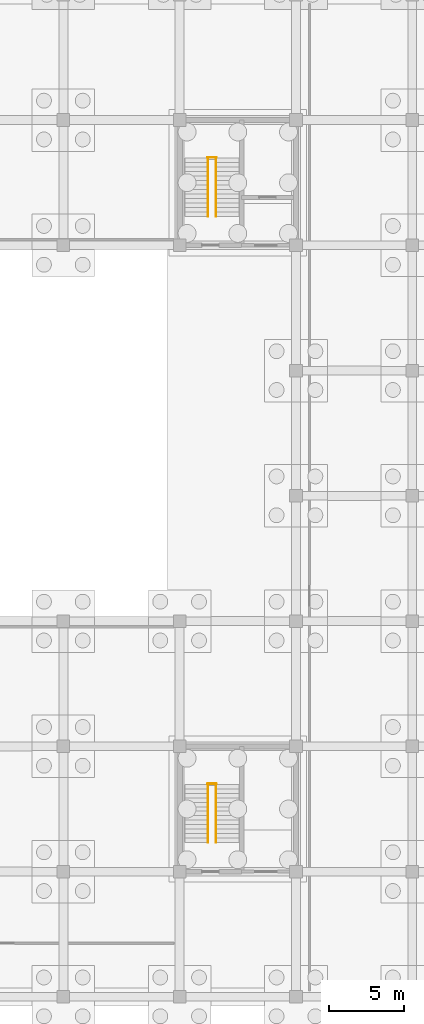
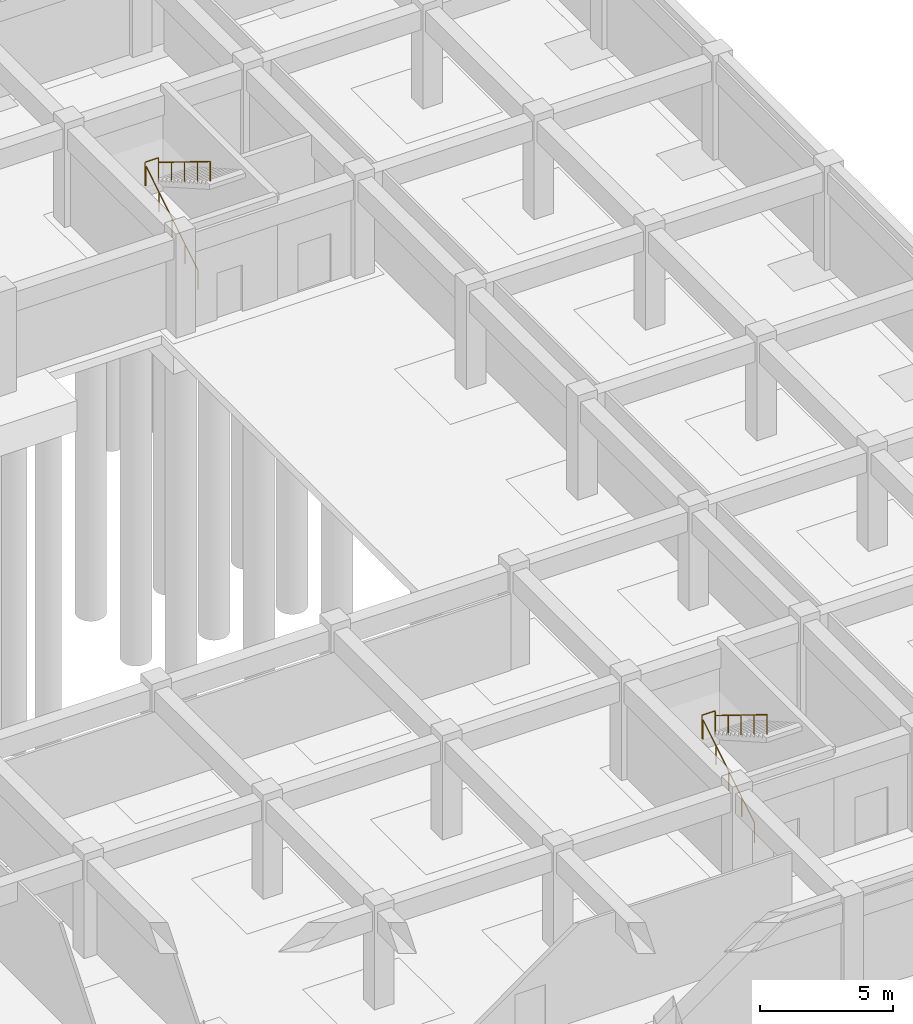
# One storey, part 31 of 31: 6 railings.
"""IFC4 building model written with IfcOpenShell, lengths in metres."""

from ifc_helpers import new_model, si_unit, direction, frame, origin, origin_2d, place, context, subcontext, project, spatial, circle, hollow_circle, extrude, material, material_profile, profile_set, type_object, element, save


model = new_model("IFC4")

# Units and contexts
model_context = context("Model", 3, precision=1e-05, world=origin(), true_north=direction((0.0, 1.0)))
body_context = subcontext(model_context, "Body", "Model", "MODEL_VIEW")
ifc_project = project(units=[si_unit("LENGTHUNIT", "METRE"), si_unit("AREAUNIT", "SQUARE_METRE"), si_unit("VOLUMEUNIT", "CUBIC_METRE"), si_unit("PLANEANGLEUNIT", "RADIAN"), si_unit("MASSUNIT", "GRAM", prefix="KILO")], contexts=[model_context])

# Site, building, storey
site_placement = place(None, origin())
site = spatial("IfcSite", under=ifc_project, at=site_placement, CompositionType="ELEMENT")
building_placement = place(site_placement, origin())
building = spatial("IfcBuilding", under=site, at=building_placement, Name="Zizhar Promenade General Hospital", CompositionType="ELEMENT")
storey_placement = place(building_placement, frame((0.0, 0.0, -4.800048828125)))
storey = spatial("IfcBuildingStorey", under=building, at=storey_placement, Name="B1", CompositionType="ELEMENT", Elevation=-4.800048828125)

# Railings
ifc_material_1 = material(Name="Anodised aluminium 6063-T6", Category="aluminium")
ifc_material_profile_1 = material_profile(ifc_material_1, hollow_circle(Radius=0.06982421875, WallThickness=0.00634765625, at=origin_2d()))
ifc_profile_set_1 = profile_set([ifc_material_profile_1], Name="Anodised aluminium 6063-T6")
railing_type_1 = type_object("IfcRailingType", Name="RL-HANDRAIL-920", PredefinedType="HANDRAIL", material=ifc_profile_set_1)
railing_1_placement = place(storey_placement, frame((173.5, 94.35009765625, 0.0)))
element("IfcRailing", 1, at=railing_1_placement, inside=storey, type_object=railing_type_1, Name="Stair ST-08 Flight 1 Handrail (B1)", PredefinedType="HANDRAIL", context=body_context, shape_type="SweptSolid", body=[
    extrude(circle(Radius=0.02392578125, at=origin_2d()), frame((0.0, 0.0, 0.89599609375), z_axis=(0.0, 0.851638180308, 0.5241301459), x_axis=(-1.0, 0.0, 0.0)), (0.0, 0.0, 1.0), 4.579345703125),
    extrude(circle(Radius=0.02099609375, at=origin_2d()), origin(), (0.0, 0.0, 1.0), 0.871826171875),
    extrude(circle(Radius=0.02099609375, at=origin_2d()), frame((0.0, 0.97509765625, 0.60009765625)), (0.0, 0.0, 1.0), 0.871826171875),
    extrude(circle(Radius=0.02099609375, at=origin_2d()), frame((0.0, 1.949951171875, 1.2001953125)), (0.0, 0.0, 1.0), 0.871826171875),
    extrude(circle(Radius=0.02099609375, at=origin_2d()), frame((0.0, 2.9248046875, 1.800048828125)), (0.0, 0.0, 1.0), 0.871826171875),
    extrude(circle(Radius=0.02099609375, at=origin_2d()), frame((0.0, 3.89990234375, 2.400146484375)), (0.0, 0.0, 1.0), 0.871826171875),
])
railing_2_placement = place(storey_placement, frame((174.0400390625, 98.25, 2.400146484375)))
element("IfcRailing", 2, at=railing_2_placement, inside=storey, type_object=railing_type_1, Name="Stair ST-08 Flight 2 Handrail (B1)", PredefinedType="HANDRAIL", context=body_context, shape_type="SweptSolid", body=[
    extrude(circle(Radius=0.02392578125, at=origin_2d()), frame((0.0, 0.0, 0.89599609375), z_axis=(0.0, -0.851661977835, 0.524091476281), x_axis=(1.0, 0.0, 0.0)), (0.0, 0.0, 1.0), 4.5791015625),
    extrude(circle(Radius=0.02099609375, at=origin_2d()), origin(), (0.0, 0.0, 1.0), 0.871826171875),
    extrude(circle(Radius=0.02099609375, at=origin_2d()), frame((0.0, -0.97509765625, 0.60009765625)), (0.0, 0.0, 1.0), 0.871826171875),
    extrude(circle(Radius=0.02099609375, at=origin_2d()), frame((0.0, -1.949951171875, 1.199951171875)), (0.0, 0.0, 1.0), 0.871826171875),
    extrude(circle(Radius=0.02099609375, at=origin_2d()), frame((0.0, -2.9248046875, 1.7998046875)), (0.0, 0.0, 1.0), 0.871826171875),
    extrude(circle(Radius=0.02099609375, at=origin_2d()), frame((0.0, -3.89990234375, 2.39990234375)), (0.0, 0.0, 1.0), 0.871826171875),
])
railing_3_placement = place(storey_placement, frame((173.5, 52.35009765625, 0.0)))
element("IfcRailing", 3, at=railing_3_placement, inside=storey, type_object=railing_type_1, Name="Stair ST-09 Flight 1 Handrail (B1)", PredefinedType="HANDRAIL", context=body_context, shape_type="SweptSolid", body=[
    extrude(circle(Radius=0.02392578125, at=origin_2d()), frame((0.0, 0.0, 0.89599609375), z_axis=(0.0, 0.851638180308, 0.5241301459), x_axis=(-1.0, 0.0, 0.0)), (0.0, 0.0, 1.0), 4.579345703125),
    extrude(circle(Radius=0.02099609375, at=origin_2d()), origin(), (0.0, 0.0, 1.0), 0.871826171875),
    extrude(circle(Radius=0.02099609375, at=origin_2d()), frame((0.0, 0.97509765625, 0.60009765625)), (0.0, 0.0, 1.0), 0.871826171875),
    extrude(circle(Radius=0.02099609375, at=origin_2d()), frame((0.0, 1.949951171875, 1.2001953125)), (0.0, 0.0, 1.0), 0.871826171875),
    extrude(circle(Radius=0.02099609375, at=origin_2d()), frame((0.0, 2.9248046875, 1.800048828125)), (0.0, 0.0, 1.0), 0.871826171875),
    extrude(circle(Radius=0.02099609375, at=origin_2d()), frame((0.0, 3.89990234375, 2.400146484375)), (0.0, 0.0, 1.0), 0.871826171875),
])
railing_4_placement = place(storey_placement, frame((174.0400390625, 56.25, 2.400146484375)))
element("IfcRailing", 4, at=railing_4_placement, inside=storey, type_object=railing_type_1, Name="Stair ST-09 Flight 2 Handrail (B1)", PredefinedType="HANDRAIL", context=body_context, shape_type="SweptSolid", body=[
    extrude(circle(Radius=0.02392578125, at=origin_2d()), frame((0.0, 0.0, 0.89599609375), z_axis=(0.0, -0.851661977835, 0.524091476281), x_axis=(1.0, 0.0, 0.0)), (0.0, 0.0, 1.0), 4.5791015625),
    extrude(circle(Radius=0.02099609375, at=origin_2d()), origin(), (0.0, 0.0, 1.0), 0.871826171875),
    extrude(circle(Radius=0.02099609375, at=origin_2d()), frame((0.0, -0.97509765625, 0.60009765625)), (0.0, 0.0, 1.0), 0.871826171875),
    extrude(circle(Radius=0.02099609375, at=origin_2d()), frame((0.0, -1.949951171875, 1.199951171875)), (0.0, 0.0, 1.0), 0.871826171875),
    extrude(circle(Radius=0.02099609375, at=origin_2d()), frame((0.0, -2.9248046875, 1.7998046875)), (0.0, 0.0, 1.0), 0.871826171875),
    extrude(circle(Radius=0.02099609375, at=origin_2d()), frame((0.0, -3.89990234375, 2.39990234375)), (0.0, 0.0, 1.0), 0.871826171875),
])
ifc_material_2 = material(Name="Steel S355", Category="steel")
ifc_material_profile_2 = material_profile(ifc_material_2, hollow_circle(Radius=0.06982421875, WallThickness=0.00634765625, at=origin_2d()))
ifc_profile_set_2 = profile_set([ifc_material_profile_2], Name="Steel S355")
railing_type_2 = type_object("IfcRailingType", Name="RL-STAIR-GUARD-1100", PredefinedType="GUARDRAIL", material=ifc_profile_set_2)
for number, where, name in (
    (5, (173.47998046875, 98.2900390625, 2.400146484375), "Stair ST-08 Half-Landing Guard (B1)"),
    (6, (173.47998046875, 56.2900390625, 2.400146484375), "Stair ST-09 Half-Landing Guard (B1)"),
):
    element("IfcRailing", number, at=place(storey_placement, frame(where)), inside=storey, type_object=railing_type_2, Name=name, PredefinedType="GUARDRAIL", context=body_context, shape_type="SweptSolid", body=[
        extrude(circle(Radius=0.02392578125, at=origin_2d()), frame((0.0, 0.0, 1.076171875), z_axis=(1.0, 0.0, 0.0), x_axis=(0.0, 1.0, 0.0)), (0.0, 0.0, 1.0), 0.580078125),
        extrude(circle(Radius=0.02099609375, at=origin_2d()), origin(), (0.0, 0.0, 1.0), 1.052001953125),
        extrude(circle(Radius=0.02099609375, at=origin_2d()), frame((0.580078125, 0.0, 0.0)), (0.0, 0.0, 1.0), 1.052001953125),
    ])

save(model, "model.ifc")
